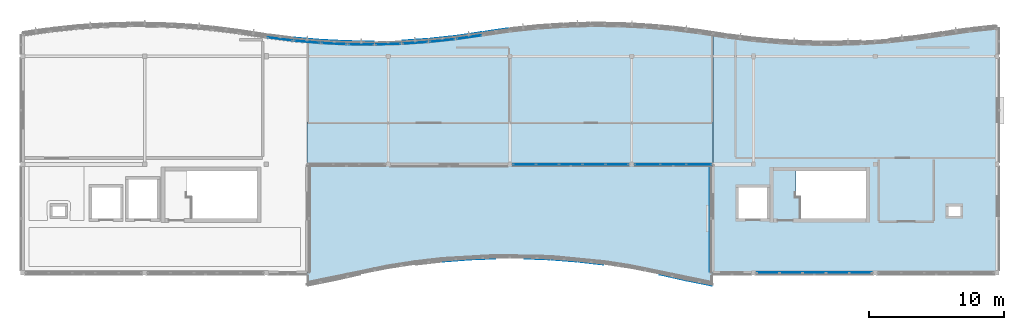
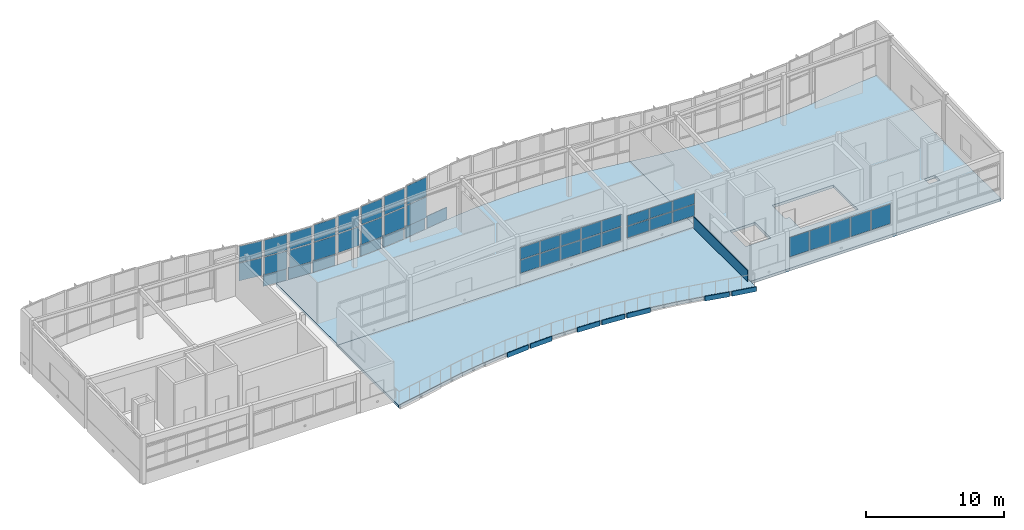
# One storey, part 11 of 20: 52 plates, 3 slabs, 11 elements without a shape of their own.
"""IFC4 building model written with IfcOpenShell, lengths in metres."""

from ifc_helpers import new_model, si_unit, direction, frame, origin, origin_2d, place, context, subcontext, project, spatial, polyline, rectangle, outline, extrude, material, layer, layer_set, type_object, element, aggregate, save


model = new_model("IFC4")

# Units and contexts
model_context = context("Model", 3, precision=1e-05, world=origin(), true_north=direction((0.0, 1.0)))
body_context = subcontext(model_context, "Body", "Model", "MODEL_VIEW")
ifc_project = project(units=[si_unit("LENGTHUNIT", "METRE"), si_unit("AREAUNIT", "SQUARE_METRE"), si_unit("VOLUMEUNIT", "CUBIC_METRE"), si_unit("PLANEANGLEUNIT", "RADIAN"), si_unit("MASSUNIT", "GRAM", prefix="KILO")], contexts=[model_context])

# Site, building, storey
site_placement = place(None, origin())
site = spatial("IfcSite", under=ifc_project, at=site_placement, CompositionType="ELEMENT")
building_placement = place(site_placement, origin())
building = spatial("IfcBuilding", under=site, at=building_placement, Name="Tonlespit Floodbar School", CompositionType="ELEMENT")
storey_placement = place(building_placement, frame((0.0, 0.0, 20.10009765625)))
storey = spatial("IfcBuildingStorey", under=building, at=storey_placement, Name="L05", CompositionType="ELEMENT", Elevation=20.10009765625)

# Curtain wall, plates
ifc_material_1 = material(Name="Anodised Aluminium", Category="aluminium")
ifc_layer_1 = layer(ifc_material_1, 0.159912109375)
ifc_layer_set_1 = layer_set([ifc_layer_1], Name="Anodised Aluminium")
curtain_wall_type_1 = type_object("IfcCurtainWallType", Name="CurtainWall_1950x3200", PredefinedType="NOTDEFINED", material=ifc_layer_set_1)
curtain_wall_1_placement = place(storey_placement, origin())
curtain_wall_1 = element("IfcCurtainWall", 1, at=curtain_wall_1_placement, inside=storey, type_object=curtain_wall_type_1, Name="L05 unitised curtain wall 0217", PredefinedType="NOTDEFINED")
ifc_material_2 = material(Name="Laminated Low-E Glass", Category="glass")
ifc_layer_2 = layer(ifc_material_2, 0.028076171875)
ifc_layer_set_2 = layer_set([ifc_layer_2], Name="Laminated Low-E Glass")
plate_type_1 = type_object("IfcPlateType", Name="CW_Panel_Glaz_28", PredefinedType="CURTAIN_PANEL", material=ifc_layer_set_2)
plate_1_placement = place(storey_placement, frame((63.0, 121.268310546875, 1.014892578125), z_axis=(0.0, 0.0, 1.0), x_axis=(0.992155002499, -0.125013803299, 0.0)))
plate_1 = element("IfcPlate", 2, at=plate_1_placement, type_object=plate_type_1, Name="CW-17 panel 1.1", PredefinedType="CURTAIN_PANEL", context=body_context, shape_type="SweptSolid", body=[
    extrude(rectangle(XDim=1.805908203125, YDim=0.028076171875, at=origin_2d()), origin(), (0.0, 0.0, 1.0), 1.56494140625),
])
plate_2_placement = place(storey_placement, frame((63.0, 121.268310546875, 2.64501953125), z_axis=(0.0, 0.0, 1.0), x_axis=(0.992155002499, -0.125013803299, 0.0)))
plate_2 = element("IfcPlate", 3, at=plate_2_placement, type_object=plate_type_1, Name="CW-17 panel 1.2", PredefinedType="CURTAIN_PANEL", context=body_context, shape_type="SweptSolid", body=[
    extrude(rectangle(XDim=1.805908203125, YDim=0.028076171875, at=origin_2d()), origin(), (0.0, 0.0, 1.0), 1.437255859375),
])
aggregate(curtain_wall_1, [plate_1, plate_2])

ifc_layer_3 = layer(ifc_material_1, 0.159912109375)
ifc_layer_set_3 = layer_set([ifc_layer_3], Name="Anodised Aluminium")
curtain_wall_type_2 = type_object("IfcCurtainWallType", Name="CurtainWall_1900x3400", PredefinedType="NOTDEFINED", material=ifc_layer_set_3)
curtain_wall_2_placement = place(storey_placement, origin())
curtain_wall_2 = element("IfcCurtainWall", 4, at=curtain_wall_2_placement, inside=storey, type_object=curtain_wall_type_2, Name="L05 unitised curtain wall 0221", PredefinedType="NOTDEFINED")
plate_3_placement = place(storey_placement, frame((71.0, 120.8818359375, 1.01513671875), z_axis=(0.0, 0.0, 1.0), x_axis=(0.999585477883, 0.028790144226, 0.0)))
plate_3 = element("IfcPlate", 5, at=plate_3_placement, type_object=plate_type_1, Name="CW-19 panel 1.1", PredefinedType="CURTAIN_PANEL", context=body_context, shape_type="SweptSolid", body=[
    extrude(rectangle(XDim=1.790771484375, YDim=0.028076171875, at=origin_2d()), origin(), (0.0, 0.0, 1.0), 1.668212890625),
])
plate_4_placement = place(storey_placement, frame((71.0, 120.8818359375, 2.748046875), z_axis=(0.0, 0.0, 1.0), x_axis=(0.999585477883, 0.028790144226, 0.0)))
plate_4 = element("IfcPlate", 6, at=plate_4_placement, type_object=plate_type_1, Name="CW-19 panel 1.2", PredefinedType="CURTAIN_PANEL", context=body_context, shape_type="SweptSolid", body=[
    extrude(rectangle(XDim=1.790771484375, YDim=0.028076171875, at=origin_2d()), origin(), (0.0, 0.0, 1.0), 1.532470703125),
])
aggregate(curtain_wall_2, [plate_3, plate_4])

ifc_layer_4 = layer(ifc_material_1, 0.159912109375)
ifc_layer_set_4 = layer_set([ifc_layer_4], Name="Anodised Aluminium")
curtain_wall_type_3 = type_object("IfcCurtainWallType", Name="CurtainWall_8600x1850", PredefinedType="NOTDEFINED", material=ifc_layer_set_4)
curtain_wall_3_placement = place(storey_placement, origin())
curtain_wall_3 = element("IfcCurtainWall", 7, at=curtain_wall_3_placement, inside=storey, type_object=curtain_wall_type_3, Name="L05 unitised curtain wall 0245", PredefinedType="NOTDEFINED")
plate_5_placement = place(storey_placement, frame((105.923828125, 104.0, 1.0146484375), z_axis=(0.0, 0.0, 1.0), x_axis=(-1.0, 0.0, 0.0)))
plate_5 = element("IfcPlate", 8, at=plate_5_placement, type_object=plate_type_1, Name="CW-29 panel 1.1", PredefinedType="CURTAIN_PANEL", context=body_context, shape_type="SweptSolid", body=[
    extrude(rectangle(XDim=1.62255859375, YDim=0.028076171875, at=origin_2d()), origin(), (0.0, 0.0, 1.0), 1.737548828125),
])
plate_6_placement = place(storey_placement, frame((104.219970703125, 104.0, 1.0146484375), z_axis=(0.0, 0.0, 1.0), x_axis=(-1.0, 0.0, 0.0)))
plate_6 = element("IfcPlate", 9, at=plate_6_placement, type_object=plate_type_1, Name="CW-29 panel 2.1", PredefinedType="CURTAIN_PANEL", context=body_context, shape_type="SweptSolid", body=[
    extrude(rectangle(XDim=1.655029296875, YDim=0.028076171875, at=origin_2d()), origin(), (0.0, 0.0, 1.0), 1.737548828125),
])
plate_7_placement = place(storey_placement, frame((102.5, 104.0, 1.0146484375), z_axis=(0.0, 0.0, 1.0), x_axis=(-1.0, 0.0, 0.0)))
plate_7 = element("IfcPlate", 10, at=plate_7_placement, type_object=plate_type_1, Name="CW-29 panel 3.1", PredefinedType="CURTAIN_PANEL", context=body_context, shape_type="SweptSolid", body=[
    extrude(rectangle(XDim=1.655029296875, YDim=0.028076171875, at=origin_2d()), origin(), (0.0, 0.0, 1.0), 1.737548828125),
])
plate_8_placement = place(storey_placement, frame((100.780029296875, 104.0, 1.0146484375), z_axis=(0.0, 0.0, 1.0), x_axis=(-1.0, 0.0, 0.0)))
plate_8 = element("IfcPlate", 11, at=plate_8_placement, type_object=plate_type_1, Name="CW-29 panel 4.1", PredefinedType="CURTAIN_PANEL", context=body_context, shape_type="SweptSolid", body=[
    extrude(rectangle(XDim=1.655029296875, YDim=0.028076171875, at=origin_2d()), origin(), (0.0, 0.0, 1.0), 1.737548828125),
])
plate_9_placement = place(storey_placement, frame((99.076171875, 104.0, 1.0146484375), z_axis=(0.0, 0.0, 1.0), x_axis=(-1.0, 0.0, 0.0)))
plate_9 = element("IfcPlate", 12, at=plate_9_placement, type_object=plate_type_1, Name="CW-29 panel 5.1", PredefinedType="CURTAIN_PANEL", context=body_context, shape_type="SweptSolid", body=[
    extrude(rectangle(XDim=1.62255859375, YDim=0.028076171875, at=origin_2d()), origin(), (0.0, 0.0, 1.0), 1.737548828125),
])
aggregate(curtain_wall_3, [plate_5, plate_6, plate_7, plate_8, plate_9])

curtain_wall_4_placement = place(storey_placement, origin())
curtain_wall_4 = element("IfcCurtainWall", 13, at=curtain_wall_4_placement, inside=storey, type_object=curtain_wall_type_1, Name="L05 unitised curtain wall 0218", PredefinedType="NOTDEFINED")
ifc_layer_5 = layer(ifc_material_2, 0.031982421875)
ifc_layer_set_5 = layer_set([ifc_layer_5], Name="Laminated Low-E Glass")
plate_type_2 = type_object("IfcPlateType", Name="CW_Panel_Glaz_32", PredefinedType="CURTAIN_PANEL", material=ifc_layer_set_5)
plate_10_placement = place(storey_placement, frame((65.0, 121.055419921875, 1.014892578125), z_axis=(0.0, 0.0, 1.0), x_axis=(0.996249148412, -0.086531117454, 0.0)))
plate_10 = element("IfcPlate", 14, at=plate_10_placement, type_object=plate_type_2, Name="CW-17 panel 1.1", PredefinedType="CURTAIN_PANEL", context=body_context, shape_type="SweptSolid", body=[
    extrude(rectangle(XDim=1.797607421875, YDim=0.031982421875, at=origin_2d()), origin(), (0.0, 0.0, 1.0), 1.56494140625),
])
plate_11_placement = place(storey_placement, frame((65.0, 121.055419921875, 2.64501953125), z_axis=(0.0, 0.0, 1.0), x_axis=(0.996249148412, -0.086531117454, 0.0)))
plate_11 = element("IfcPlate", 15, at=plate_11_placement, type_object=plate_type_2, Name="CW-17 panel 1.2", PredefinedType="CURTAIN_PANEL", context=body_context, shape_type="SweptSolid", body=[
    extrude(rectangle(XDim=1.797607421875, YDim=0.031982421875, at=origin_2d()), origin(), (0.0, 0.0, 1.0), 1.437255859375),
])
aggregate(curtain_wall_4, [plate_10, plate_11])

ifc_layer_6 = layer(ifc_material_1, 0.159912109375)
ifc_layer_set_6 = layer_set([ifc_layer_6], Name="Anodised Aluminium")
curtain_wall_type_4 = type_object("IfcCurtainWallType", Name="CurtainWall_1900x3500", PredefinedType="NOTDEFINED", material=ifc_layer_set_6)
curtain_wall_5_placement = place(storey_placement, origin())
curtain_wall_5 = element("IfcCurtainWall", 16, at=curtain_wall_5_placement, inside=storey, type_object=curtain_wall_type_4, Name="L05 unitised curtain wall 0222", PredefinedType="NOTDEFINED")
plate_12_placement = place(storey_placement, frame((73.0, 120.978271484375, 1.014892578125), z_axis=(0.0, 0.0, 1.0), x_axis=(0.99773010165, 0.067339767311, 0.0)))
plate_12 = element("IfcPlate", 17, at=plate_12_placement, type_object=plate_type_2, Name="CW-20 panel 1.1", PredefinedType="CURTAIN_PANEL", context=body_context, shape_type="SweptSolid", body=[
    extrude(rectangle(XDim=1.794677734375, YDim=0.031982421875, at=origin_2d()), origin(), (0.0, 0.0, 1.0), 1.720703125),
])
plate_13_placement = place(storey_placement, frame((73.0, 120.978271484375, 2.80078125), z_axis=(0.0, 0.0, 1.0), x_axis=(0.99773010165, 0.067339767311, 0.0)))
plate_13 = element("IfcPlate", 18, at=plate_13_placement, type_object=plate_type_2, Name="CW-20 panel 1.2", PredefinedType="CURTAIN_PANEL", context=body_context, shape_type="SweptSolid", body=[
    extrude(rectangle(XDim=1.794677734375, YDim=0.031982421875, at=origin_2d()), origin(), (0.0, 0.0, 1.0), 1.580810546875),
])
aggregate(curtain_wall_5, [plate_12, plate_13])

ifc_layer_7 = layer(ifc_material_1, 0.159912109375)
ifc_layer_set_7 = layer_set([ifc_layer_7], Name="Anodised Aluminium")
curtain_wall_type_5 = type_object("IfcCurtainWallType", Name="CurtainWall_5750x2100", PredefinedType="NOTDEFINED", material=ifc_layer_set_7)
curtain_wall_6_placement = place(storey_placement, origin())
curtain_wall_6 = element("IfcCurtainWall", 19, at=curtain_wall_6_placement, inside=storey, type_object=curtain_wall_type_5, Name="L05 unitised curtain wall 0246", PredefinedType="NOTDEFINED")
plate_14_placement = place(storey_placement, frame((93.983642578125, 112.0, 1.0146484375), z_axis=(0.0, 0.0, 1.0), x_axis=(-1.0, 0.0, 0.0)))
plate_14 = element("IfcPlate", 20, at=plate_14_placement, type_object=plate_type_2, Name="CW-30 panel 1.1", PredefinedType="CURTAIN_PANEL", context=body_context, shape_type="SweptSolid", body=[
    extrude(rectangle(XDim=1.822509765625, YDim=0.031982421875, at=origin_2d()), origin(), (0.0, 0.0, 1.0), 0.992919921875),
])
plate_15_placement = place(storey_placement, frame((93.983642578125, 112.0, 2.07275390625), z_axis=(0.0, 0.0, 1.0), x_axis=(-1.0, 0.0, 0.0)))
plate_15 = element("IfcPlate", 21, at=plate_15_placement, type_object=plate_type_2, Name="CW-30 panel 1.2", PredefinedType="CURTAIN_PANEL", context=body_context, shape_type="SweptSolid", body=[
    extrude(rectangle(XDim=1.822509765625, YDim=0.031982421875, at=origin_2d()), origin(), (0.0, 0.0, 1.0), 0.908935546875),
])
plate_16_placement = place(storey_placement, frame((92.080078125, 112.0, 1.0146484375), z_axis=(0.0, 0.0, 1.0), x_axis=(-1.0, 0.0, 0.0)))
plate_16 = element("IfcPlate", 22, at=plate_16_placement, type_object=plate_type_2, Name="CW-30 panel 2.1", PredefinedType="CURTAIN_PANEL", context=body_context, shape_type="SweptSolid", body=[
    extrude(rectangle(XDim=1.85498046875, YDim=0.031982421875, at=origin_2d()), origin(), (0.0, 0.0, 1.0), 0.992919921875),
])
plate_17_placement = place(storey_placement, frame((92.080078125, 112.0, 2.07275390625), z_axis=(0.0, 0.0, 1.0), x_axis=(-1.0, 0.0, 0.0)))
plate_17 = element("IfcPlate", 23, at=plate_17_placement, type_object=plate_type_2, Name="CW-30 panel 2.2", PredefinedType="CURTAIN_PANEL", context=body_context, shape_type="SweptSolid", body=[
    extrude(rectangle(XDim=1.85498046875, YDim=0.031982421875, at=origin_2d()), origin(), (0.0, 0.0, 1.0), 0.908935546875),
])
plate_18_placement = place(storey_placement, frame((90.17626953125, 112.0, 1.0146484375), z_axis=(0.0, 0.0, 1.0), x_axis=(-1.0, 0.0, 0.0)))
plate_18 = element("IfcPlate", 24, at=plate_18_placement, type_object=plate_type_2, Name="CW-30 panel 3.1", PredefinedType="CURTAIN_PANEL", context=body_context, shape_type="SweptSolid", body=[
    extrude(rectangle(XDim=1.822509765625, YDim=0.031982421875, at=origin_2d()), origin(), (0.0, 0.0, 1.0), 0.992919921875),
])
plate_19_placement = place(storey_placement, frame((90.17626953125, 112.0, 2.07275390625), z_axis=(0.0, 0.0, 1.0), x_axis=(-1.0, 0.0, 0.0)))
plate_19 = element("IfcPlate", 25, at=plate_19_placement, type_object=plate_type_2, Name="CW-30 panel 3.2", PredefinedType="CURTAIN_PANEL", context=body_context, shape_type="SweptSolid", body=[
    extrude(rectangle(XDim=1.822509765625, YDim=0.031982421875, at=origin_2d()), origin(), (0.0, 0.0, 1.0), 0.908935546875),
])
aggregate(curtain_wall_6, [plate_14, plate_15, plate_16, plate_17, plate_18, plate_19])

ifc_layer_8 = layer(ifc_material_1, 0.159912109375)
ifc_layer_set_8 = layer_set([ifc_layer_8], Name="Anodised Aluminium")
curtain_wall_type_6 = type_object("IfcCurtainWallType", Name="CurtainWall_1900x3200", PredefinedType="NOTDEFINED", material=ifc_layer_set_8)
curtain_wall_7_placement = place(storey_placement, origin())
curtain_wall_7 = element("IfcCurtainWall", 26, at=curtain_wall_7_placement, inside=storey, type_object=curtain_wall_type_6, Name="L05 unitised curtain wall 0219", PredefinedType="NOTDEFINED")
ifc_layer_9 = layer(ifc_material_2, 0.035888671875)
ifc_layer_set_9 = layer_set([ifc_layer_9], Name="Laminated Low-E Glass")
plate_type_3 = type_object("IfcPlateType", Name="CW_Panel_Glaz_36", PredefinedType="CURTAIN_PANEL", material=ifc_layer_set_9)
plate_20_placement = place(storey_placement, frame((67.0, 120.92041015625, 1.01513671875), z_axis=(0.0, 0.0, 1.0), x_axis=(0.998841500616, -0.048121270216, 0.0)))
plate_20 = element("IfcPlate", 27, at=plate_20_placement, type_object=plate_type_3, Name="CW-18 panel 1.1", PredefinedType="CURTAIN_PANEL", context=body_context, shape_type="SweptSolid", body=[
    extrude(rectangle(XDim=1.792236328125, YDim=0.035888671875, at=origin_2d()), origin(), (0.0, 0.0, 1.0), 1.568115234375),
])
plate_21_placement = place(storey_placement, frame((67.0, 120.92041015625, 2.648193359375), z_axis=(0.0, 0.0, 1.0), x_axis=(0.998841500616, -0.048121270216, 0.0)))
plate_21 = element("IfcPlate", 28, at=plate_21_placement, type_object=plate_type_3, Name="CW-18 panel 1.2", PredefinedType="CURTAIN_PANEL", context=body_context, shape_type="SweptSolid", body=[
    extrude(rectangle(XDim=1.792236328125, YDim=0.035888671875, at=origin_2d()), origin(), (0.0, 0.0, 1.0), 1.43994140625),
])
aggregate(curtain_wall_7, [plate_20, plate_21])

ifc_layer_10 = layer(ifc_material_1, 0.159912109375)
ifc_layer_set_10 = layer_set([ifc_layer_10], Name="Anodised Aluminium")
curtain_wall_type_7 = type_object("IfcCurtainWallType", Name="CurtainWall_1950x3600", PredefinedType="NOTDEFINED", material=ifc_layer_set_10)
curtain_wall_8_placement = place(storey_placement, origin())
curtain_wall_8 = element("IfcCurtainWall", 29, at=curtain_wall_8_placement, inside=storey, type_object=curtain_wall_type_7, Name="L05 unitised curtain wall 0223", PredefinedType="NOTDEFINED")
plate_22_placement = place(storey_placement, frame((75.0, 121.152099609375, 1.0146484375), z_axis=(0.0, 0.0, 1.0), x_axis=(0.994388797288, 0.105787143968, 0.0)))
plate_22 = element("IfcPlate", 30, at=plate_22_placement, type_object=plate_type_3, Name="CW-21 panel 1.1", PredefinedType="CURTAIN_PANEL", context=body_context, shape_type="SweptSolid", body=[
    extrude(rectangle(XDim=1.80126953125, YDim=0.035888671875, at=origin_2d()), origin(), (0.0, 0.0, 1.0), 1.775146484375),
])
plate_23_placement = place(storey_placement, frame((75.0, 121.152099609375, 2.85498046875), z_axis=(0.0, 0.0, 1.0), x_axis=(0.994388797288, 0.105787143968, 0.0)))
plate_23 = element("IfcPlate", 31, at=plate_23_placement, type_object=plate_type_3, Name="CW-21 panel 1.2", PredefinedType="CURTAIN_PANEL", context=body_context, shape_type="SweptSolid", body=[
    extrude(rectangle(XDim=1.80126953125, YDim=0.035888671875, at=origin_2d()), origin(), (0.0, 0.0, 1.0), 1.631103515625),
])
aggregate(curtain_wall_8, [plate_22, plate_23])

ifc_layer_11 = layer(ifc_material_1, 0.159912109375)
ifc_layer_set_11 = layer_set([ifc_layer_11], Name="Anodised Aluminium")
curtain_wall_type_8 = type_object("IfcCurtainWallType", Name="CurtainWall_8600x2400", PredefinedType="NOTDEFINED", material=ifc_layer_set_11)
curtain_wall_9_placement = place(storey_placement, origin())
curtain_wall_9 = element("IfcCurtainWall", 32, at=curtain_wall_9_placement, inside=storey, type_object=curtain_wall_type_8, Name="L05 unitised curtain wall 0247", PredefinedType="NOTDEFINED")
plate_24_placement = place(storey_placement, frame((87.923828125, 112.0, 1.014892578125), z_axis=(0.0, 0.0, 1.0), x_axis=(-1.0, 0.0, 0.0)))
plate_24 = element("IfcPlate", 33, at=plate_24_placement, type_object=plate_type_3, Name="CW-31 panel 1.1", PredefinedType="CURTAIN_PANEL", context=body_context, shape_type="SweptSolid", body=[
    extrude(rectangle(XDim=1.62255859375, YDim=0.035888671875, at=origin_2d()), origin(), (0.0, 0.0, 1.0), 1.15087890625),
])
plate_25_placement = place(storey_placement, frame((87.923828125, 112.0, 2.23095703125), z_axis=(0.0, 0.0, 1.0), x_axis=(-1.0, 0.0, 0.0)))
plate_25 = element("IfcPlate", 34, at=plate_25_placement, type_object=plate_type_3, Name="CW-31 panel 1.2", PredefinedType="CURTAIN_PANEL", context=body_context, shape_type="SweptSolid", body=[
    extrude(rectangle(XDim=1.62255859375, YDim=0.035888671875, at=origin_2d()), origin(), (0.0, 0.0, 1.0), 1.0546875),
])
plate_26_placement = place(storey_placement, frame((86.219970703125, 112.0, 1.014892578125), z_axis=(0.0, 0.0, 1.0), x_axis=(-1.0, 0.0, 0.0)))
plate_26 = element("IfcPlate", 35, at=plate_26_placement, type_object=plate_type_3, Name="CW-31 panel 2.1", PredefinedType="CURTAIN_PANEL", context=body_context, shape_type="SweptSolid", body=[
    extrude(rectangle(XDim=1.655029296875, YDim=0.035888671875, at=origin_2d()), origin(), (0.0, 0.0, 1.0), 1.15087890625),
])
plate_27_placement = place(storey_placement, frame((86.219970703125, 112.0, 2.23095703125), z_axis=(0.0, 0.0, 1.0), x_axis=(-1.0, 0.0, 0.0)))
plate_27 = element("IfcPlate", 36, at=plate_27_placement, type_object=plate_type_3, Name="CW-31 panel 2.2", PredefinedType="CURTAIN_PANEL", context=body_context, shape_type="SweptSolid", body=[
    extrude(rectangle(XDim=1.655029296875, YDim=0.035888671875, at=origin_2d()), origin(), (0.0, 0.0, 1.0), 1.0546875),
])
plate_28_placement = place(storey_placement, frame((84.5, 112.0, 1.014892578125), z_axis=(0.0, 0.0, 1.0), x_axis=(-1.0, 0.0, 0.0)))
plate_28 = element("IfcPlate", 37, at=plate_28_placement, type_object=plate_type_3, Name="CW-31 panel 3.1", PredefinedType="CURTAIN_PANEL", context=body_context, shape_type="SweptSolid", body=[
    extrude(rectangle(XDim=1.655029296875, YDim=0.035888671875, at=origin_2d()), origin(), (0.0, 0.0, 1.0), 1.15087890625),
])
plate_29_placement = place(storey_placement, frame((84.5, 112.0, 2.23095703125), z_axis=(0.0, 0.0, 1.0), x_axis=(-1.0, 0.0, 0.0)))
plate_29 = element("IfcPlate", 38, at=plate_29_placement, type_object=plate_type_3, Name="CW-31 panel 3.2", PredefinedType="CURTAIN_PANEL", context=body_context, shape_type="SweptSolid", body=[
    extrude(rectangle(XDim=1.655029296875, YDim=0.035888671875, at=origin_2d()), origin(), (0.0, 0.0, 1.0), 1.0546875),
])
plate_30_placement = place(storey_placement, frame((82.780029296875, 112.0, 1.014892578125), z_axis=(0.0, 0.0, 1.0), x_axis=(-1.0, 0.0, 0.0)))
plate_30 = element("IfcPlate", 39, at=plate_30_placement, type_object=plate_type_3, Name="CW-31 panel 4.1", PredefinedType="CURTAIN_PANEL", context=body_context, shape_type="SweptSolid", body=[
    extrude(rectangle(XDim=1.655029296875, YDim=0.035888671875, at=origin_2d()), origin(), (0.0, 0.0, 1.0), 1.15087890625),
])
plate_31_placement = place(storey_placement, frame((82.780029296875, 112.0, 2.23095703125), z_axis=(0.0, 0.0, 1.0), x_axis=(-1.0, 0.0, 0.0)))
plate_31 = element("IfcPlate", 40, at=plate_31_placement, type_object=plate_type_3, Name="CW-31 panel 4.2", PredefinedType="CURTAIN_PANEL", context=body_context, shape_type="SweptSolid", body=[
    extrude(rectangle(XDim=1.655029296875, YDim=0.035888671875, at=origin_2d()), origin(), (0.0, 0.0, 1.0), 1.0546875),
])
plate_32_placement = place(storey_placement, frame((81.076171875, 112.0, 1.014892578125), z_axis=(0.0, 0.0, 1.0), x_axis=(-1.0, 0.0, 0.0)))
plate_32 = element("IfcPlate", 41, at=plate_32_placement, type_object=plate_type_3, Name="CW-31 panel 5.1", PredefinedType="CURTAIN_PANEL", context=body_context, shape_type="SweptSolid", body=[
    extrude(rectangle(XDim=1.62255859375, YDim=0.035888671875, at=origin_2d()), origin(), (0.0, 0.0, 1.0), 1.15087890625),
])
plate_33_placement = place(storey_placement, frame((81.076171875, 112.0, 2.23095703125), z_axis=(0.0, 0.0, 1.0), x_axis=(-1.0, 0.0, 0.0)))
plate_33 = element("IfcPlate", 42, at=plate_33_placement, type_object=plate_type_3, Name="CW-31 panel 5.2", PredefinedType="CURTAIN_PANEL", context=body_context, shape_type="SweptSolid", body=[
    extrude(rectangle(XDim=1.62255859375, YDim=0.035888671875, at=origin_2d()), origin(), (0.0, 0.0, 1.0), 1.0546875),
])
aggregate(curtain_wall_9, [plate_24, plate_25, plate_26, plate_27, plate_28, plate_29, plate_30, plate_31, plate_32, plate_33])

ifc_layer_12 = layer(ifc_material_1, 0.159912109375)
ifc_layer_set_12 = layer_set([ifc_layer_12], Name="Anodised Aluminium")
curtain_wall_type_9 = type_object("IfcCurtainWallType", Name="CurtainWall_1900x3300", PredefinedType="NOTDEFINED", material=ifc_layer_set_12)
curtain_wall_10_placement = place(storey_placement, origin())
curtain_wall_10 = element("IfcCurtainWall", 43, at=curtain_wall_10_placement, inside=storey, type_object=curtain_wall_type_9, Name="L05 unitised curtain wall 0220", PredefinedType="NOTDEFINED")
ifc_layer_13 = layer(ifc_material_2, 0.0419921875)
ifc_layer_set_13 = layer_set([ifc_layer_13], Name="Laminated Low-E Glass")
plate_type_4 = type_object("IfcPlateType", Name="CW_Panel_Glaz_42", PredefinedType="CURTAIN_PANEL", material=ifc_layer_set_13)
plate_34_placement = place(storey_placement, frame((69.0, 120.862548828125, 1.0146484375), z_axis=(0.0, 0.0, 1.0), x_axis=(0.999954083024, -0.009582893292, 0.0)))
plate_34 = element("IfcPlate", 44, at=plate_34_placement, type_object=plate_type_4, Name="CW-02 panel 1.1", PredefinedType="CURTAIN_PANEL", context=body_context, shape_type="SweptSolid", body=[
    extrude(rectangle(XDim=1.7900390625, YDim=0.0419921875, at=origin_2d()), origin(), (0.0, 0.0, 1.0), 1.617431640625),
])
plate_35_placement = place(storey_placement, frame((69.0, 120.862548828125, 2.697265625), z_axis=(0.0, 0.0, 1.0), x_axis=(0.999954083024, -0.009582893292, 0.0)))
plate_35 = element("IfcPlate", 45, at=plate_35_placement, type_object=plate_type_4, Name="CW-02 panel 1.2", PredefinedType="CURTAIN_PANEL", context=body_context, shape_type="SweptSolid", body=[
    extrude(rectangle(XDim=1.7900390625, YDim=0.0419921875, at=origin_2d()), origin(), (0.0, 0.0, 1.0), 1.4853515625),
])
aggregate(curtain_wall_10, [plate_34, plate_35])

ifc_layer_14 = layer(ifc_material_1, 0.159912109375)
ifc_layer_set_14 = layer_set([ifc_layer_14], Name="Anodised Aluminium")
curtain_wall_type_10 = type_object("IfcCurtainWallType", Name="CurtainWall_1950x3700", PredefinedType="NOTDEFINED", material=ifc_layer_set_14)
curtain_wall_11_placement = place(storey_placement, origin())
curtain_wall_11 = element("IfcCurtainWall", 46, at=curtain_wall_11_placement, inside=storey, type_object=curtain_wall_type_10, Name="L05 unitised curtain wall 0224", PredefinedType="NOTDEFINED")
plate_36_placement = place(storey_placement, frame((77.0, 121.404296875, 1.0146484375), z_axis=(0.0, 0.0, 1.0), x_axis=(0.989541561858, 0.144248041079, 0.0)))
plate_36 = element("IfcPlate", 47, at=plate_36_placement, type_object=plate_type_4, Name="CW-22 panel 1.1", PredefinedType="CURTAIN_PANEL", context=body_context, shape_type="SweptSolid", body=[
    extrude(rectangle(XDim=1.81103515625, YDim=0.0419921875, at=origin_2d()), origin(), (0.0, 0.0, 1.0), 1.831298828125),
])
plate_37_placement = place(storey_placement, frame((77.0, 121.404296875, 2.9111328125), z_axis=(0.0, 0.0, 1.0), x_axis=(0.989541561858, 0.144248041079, 0.0)))
plate_37 = element("IfcPlate", 48, at=plate_37_placement, type_object=plate_type_4, Name="CW-22 panel 1.2", PredefinedType="CURTAIN_PANEL", context=body_context, shape_type="SweptSolid", body=[
    extrude(rectangle(XDim=1.81103515625, YDim=0.0419921875, at=origin_2d()), origin(), (0.0, 0.0, 1.0), 1.682861328125),
])
aggregate(curtain_wall_11, [plate_36, plate_37])

# Plates
ifc_material_3 = material(Name="White Architectural Aluminium", Category="aluminium")
ifc_layer_15 = layer(ifc_material_3, 0.06494140625)
ifc_layer_set_15 = layer_set([ifc_layer_15], Name="White Architectural Aluminium")
plate_type_5 = type_object("IfcPlateType", Name="FacadeRibbon_White_65", PredefinedType="SHEET", material=ifc_layer_set_15)
plate_38_placement = place(storey_placement, frame((65.015869140625, 121.23681640625, -0.1201171875), z_axis=(0.0, 0.0, 1.0), x_axis=(0.996245486492, -0.086573267488, 0.0)))
element("IfcPlate", 49, at=plate_38_placement, inside=storey, type_object=plate_type_5, Name="L05 flowing white street spandrel ribbon 0400", PredefinedType="SHEET", context=body_context, shape_type="SweptSolid", body=[
    extrude(rectangle(XDim=1.847412109375, YDim=0.06494140625, at=origin_2d()), origin(), (0.0, 0.0, 1.0), 1.070068359375),
])
plate_39_placement = place(storey_placement, frame((67.0087890625, 121.10205078125, -0.1201171875), z_axis=(0.0, 0.0, 1.0), x_axis=(0.998842769234, -0.048094930587, 0.0)))
element("IfcPlate", 50, at=plate_39_placement, inside=storey, type_object=plate_type_5, Name="L05 flowing white street spandrel ribbon 0402", PredefinedType="SHEET", context=body_context, shape_type="SweptSolid", body=[
    extrude(rectangle(XDim=1.84228515625, YDim=0.06494140625, at=origin_2d()), origin(), (0.0, 0.0, 1.0), 1.070068359375),
])
plate_40_placement = place(storey_placement, frame((69.001708984375, 121.044677734375, -0.1201171875), z_axis=(0.0, 0.0, 1.0), x_axis=(0.999953926969, -0.009599163462, 0.0)))
element("IfcPlate", 51, at=plate_40_placement, inside=storey, type_object=plate_type_5, Name="L05 flowing white street spandrel ribbon 0404", PredefinedType="SHEET", context=body_context, shape_type="SweptSolid", body=[
    extrude(rectangle(XDim=1.840087890625, YDim=0.06494140625, at=origin_2d()), origin(), (0.0, 0.0, 1.0), 1.070068359375),
])
plate_41_placement = place(storey_placement, frame((72.98779296875, 121.159912109375, -0.1201171875), z_axis=(0.0, 0.0, 1.0), x_axis=(0.997729639049, 0.067346621018, 0.0)))
element("IfcPlate", 52, at=plate_41_placement, inside=storey, type_object=plate_type_5, Name="L05 flowing white street spandrel ribbon 0408", PredefinedType="SHEET", context=body_context, shape_type="SweptSolid", body=[
    extrude(rectangle(XDim=1.844482421875, YDim=0.06494140625, at=origin_2d()), origin(), (0.0, 0.0, 1.0), 1.070068359375),
])
plate_42_placement = place(storey_placement, frame((74.980712890625, 121.3330078125, -0.1201171875), z_axis=(0.0, 0.0, 1.0), x_axis=(0.99439234017, 0.105753835922, 0.0)))
element("IfcPlate", 53, at=plate_42_placement, inside=storey, type_object=plate_type_5, Name="L05 flowing white street spandrel ribbon 0410", PredefinedType="SHEET", context=body_context, shape_type="SweptSolid", body=[
    extrude(rectangle(XDim=1.851318359375, YDim=0.06494140625, at=origin_2d()), origin(), (0.0, 0.0, 1.0), 1.070068359375),
])
for number, where, z_axis, x_axis, name in (
    (54, (76.9736328125, 121.584228515625, -0.1201171875), (0.0, 0.0, 1.0), (0.989537627347, 0.144275029245, 0.0), "L05 flowing white street spandrel ribbon 0412"),
    (55, (78.9736328125, 121.8759765625, -0.1201171875), (0.0, 0.0, 1.0), (0.989537627347, 0.144275029245, 0.0), "L05 flowing white street spandrel ribbon 0414"),
):
    element("IfcPlate", number, at=place(storey_placement, frame(where, z_axis=z_axis, x_axis=x_axis)), inside=storey, type_object=plate_type_5, Name=name, PredefinedType="SHEET", context=body_context, shape_type="SweptSolid", body=[
        extrude(rectangle(XDim=1.861083984375, YDim=0.06494140625, at=origin_2d()), origin(), (0.0, 0.0, 1.0), 1.070068359375),
    ])
plate_43_placement = place(storey_placement, frame((94.798095703125, 108.0, -0.1201171875), z_axis=(0.0, 0.0, 1.0), x_axis=(0.0, 1.0, 0.0)))
element("IfcPlate", 56, at=plate_43_placement, inside=storey, type_object=plate_type_5, Name="L05 flowing white street spandrel ribbon 0455", PredefinedType="SHEET", context=body_context, shape_type="SweptSolid", body=[
    extrude(rectangle(XDim=7.840087890625, YDim=0.06494140625, at=origin_2d()), origin(), (0.0, 0.0, 1.0), 1.1201171875),
])
plate_44_placement = place(storey_placement, frame((76.0, 104.917724609375, -0.300048828125), z_axis=(0.0, 0.0, 1.0), x_axis=(0.997037199397, 0.076920888052, 0.0)))
element("IfcPlate", 57, at=plate_44_placement, inside=storey, type_object=plate_type_5, Name="L05 flowing white street spandrel ribbon 0475", PredefinedType="SHEET", context=body_context, shape_type="SweptSolid", body=[
    extrude(rectangle(XDim=1.845947265625, YDim=0.06494140625, at=origin_2d()), origin(), (0.0, 0.0, 1.0), 0.419921875),
])
for number, where, z_axis, x_axis, name in (
    (58, (78.0, 105.033447265625, -0.300048828125), (0.0, 0.0, 1.0), (0.999259696934, 0.038471523007, 0.0), "L05 flowing white street spandrel ribbon 0476"),
    (59, (82.0, 105.033447265625, -0.300048828125), (0.0, 0.0, 1.0), (0.999259696934, -0.038471523007, 0.0), "L05 flowing white street spandrel ribbon 0478"),
):
    element("IfcPlate", number, at=place(storey_placement, frame(where, z_axis=z_axis, x_axis=x_axis)), inside=storey, type_object=plate_type_5, Name=name, PredefinedType="SHEET", context=body_context, shape_type="SweptSolid", body=[
        extrude(rectangle(XDim=1.841552734375, YDim=0.06494140625, at=origin_2d()), origin(), (0.0, 0.0, 1.0), 0.419921875),
    ])
plate_45_placement = place(storey_placement, frame((84.0, 104.917724609375, -0.300048828125), z_axis=(0.0, 0.0, 1.0), x_axis=(0.997037199397, -0.076920888052, 0.0)))
element("IfcPlate", 60, at=plate_45_placement, inside=storey, type_object=plate_type_5, Name="L05 flowing white street spandrel ribbon 0479", PredefinedType="SHEET", context=body_context, shape_type="SweptSolid", body=[
    extrude(rectangle(XDim=1.845947265625, YDim=0.06494140625, at=origin_2d()), origin(), (0.0, 0.0, 1.0), 0.419921875),
])
plate_46_placement = place(storey_placement, frame((86.0, 104.724365234375, -0.300048828125), z_axis=(0.0, 0.0, 1.0), x_axis=(0.993316478096, -0.115422590262, 0.0)))
element("IfcPlate", 61, at=plate_46_placement, inside=storey, type_object=plate_type_5, Name="L05 flowing white street spandrel ribbon 0480", PredefinedType="SHEET", context=body_context, shape_type="SweptSolid", body=[
    extrude(rectangle(XDim=1.853515625, YDim=0.06494140625, at=origin_2d()), origin(), (0.0, 0.0, 1.0), 0.419921875),
])
plate_47_placement = place(storey_placement, frame((92.0, 103.677978515625, -0.300048828125), z_axis=(0.0, 0.0, 1.0), x_axis=(0.975232420789, -0.221182561341, 0.0)))
element("IfcPlate", 62, at=plate_47_placement, inside=storey, type_object=plate_type_5, Name="L05 flowing white street spandrel ribbon 0483", PredefinedType="SHEET", context=body_context, shape_type="SweptSolid", body=[
    extrude(rectangle(XDim=1.890869140625, YDim=0.06494140625, at=origin_2d()), origin(), (0.0, 0.0, 1.0), 0.419921875),
])
plate_48_placement = place(storey_placement, frame((94.0, 103.255126953125, -0.300048828125), z_axis=(0.0, 0.0, 1.0), x_axis=(0.981328264706, -0.19234041928, 0.0)))
element("IfcPlate", 63, at=plate_48_placement, inside=storey, type_object=plate_type_5, Name="L05 flowing white street spandrel ribbon 0484", PredefinedType="SHEET", context=body_context, shape_type="SweptSolid", body=[
    extrude(rectangle(XDim=1.878173828125, YDim=0.06494140625, at=origin_2d()), origin(), (0.0, 0.0, 1.0), 0.419921875),
])

# Slabs
ifc_material_4 = material(Name="CLT C24", Category="wood")
ifc_layer_16 = layer(ifc_material_4, 0.239990234375)
ifc_layer_set_16 = layer_set([ifc_layer_16], Name="CLT C24")
slab_type_1 = type_object("IfcSlabType", Name="Slab_Floor_CLT_190", PredefinedType="FLOOR", material=ifc_layer_set_16)
slab_1_placement = place(storey_placement, frame((0.0, 0.0, -0.239990234375)))
element("IfcSlab", 64, at=slab_1_placement, inside=storey, type_object=slab_type_1, Name="L05 V1 L05 central curved spine slab", PredefinedType="FLOOR", context=body_context, shape_type="SweptSolid", body=[
    extrude(outline(polyline([(65.0, 112.0), (95.0, 112.0), (95.0, 121.550048828125), (93.0, 121.841552734375), (91.0, 122.05419921875), (89.0, 122.189208984375), (87.0, 122.2470703125), (85.0, 122.227783203125), (83.0, 122.131591796875), (81.0, 121.957763671875), (79.0, 121.705810546875), (77.0, 121.394287109375), (75.0, 121.142333984375), (73.0, 120.968505859375), (71.0, 120.872314453125), (69.0, 120.85302734375), (67.0, 120.91064453125), (65.0, 121.045654296875), (65.0, 112.0)])), origin(), (0.0, 0.0, 1.0), 0.239990234375),
])
slab_2_placement = place(storey_placement, frame((0.0, 0.0, -0.239990234375)))
element("IfcSlab", 65, at=slab_2_placement, inside=storey, type_object=slab_type_1, Name="L05 V1 L05 east curved street slab", PredefinedType="FLOOR", context=body_context, shape_type="SweptSolid", body=[
    extrude(outline(polyline([(95.0, 104.0), (116.0, 104.0), (116.0, 122.05419921875), (113.89990234375, 121.828857421875), (111.800048828125, 121.517333984375), (109.699951171875, 121.221435546875), (107.60009765625, 121.012451171875), (105.5, 120.88916015625), (103.39990234375, 120.8505859375), (101.300048828125, 120.897216796875), (99.199951171875, 121.02880859375), (97.10009765625, 121.245849609375), (95.0, 121.550048828125), (95.0, 104.0)]), holes=[polyline([(101.5, 108.0), (106.300048828125, 108.0), (106.300048828125, 111.5400390625), (101.14501953125, 111.5400390625), (101.14501953125, 109.6201171875), (101.5, 109.6201171875), (101.5, 108.0)]), polyline([(96.89990234375, 108.0), (99.0, 108.0), (99.0, 110.300048828125), (96.89990234375, 110.300048828125), (96.89990234375, 108.0)]), polyline([(112.39990234375, 108.199951171875), (113.300048828125, 108.199951171875), (113.300048828125, 108.89990234375), (112.39990234375, 108.89990234375), (112.39990234375, 108.199951171875)])]), origin(), (0.0, 0.0, 1.0), 0.239990234375),
])
ifc_layer_17 = layer(ifc_material_4, 0.251953125)
ifc_layer_set_17 = layer_set([ifc_layer_17], Name="CLT C24")
slab_type_2 = type_object("IfcSlabType", Name="Slab_Terrace_CLT_210", PredefinedType="FLOOR", material=ifc_layer_set_17)
slab_3_placement = place(storey_placement, frame((0.0, 0.0, -0.252197265625)))
element("IfcSlab", 66, at=slab_3_placement, inside=storey, type_object=slab_type_2, Name="L05 V1 curved courtyard gallery step 4", PredefinedType="FLOOR", context=body_context, shape_type="SweptSolid", body=[
    extrude(outline(polyline([(65.0, 103.18115234375), (71.0, 104.418701171875), (73.0, 104.730224609375), (75.0, 104.962646484375), (79.0, 105.19384765625), (83.0, 105.116943359375), (87.0, 104.730224609375), (89.0, 104.418701171875), (95.0, 103.18115234375), (95.0, 112.0), (65.0, 112.0), (65.0, 103.18115234375)])), origin(), (0.0, 0.0, 1.0), 0.252197265625),
])

save(model, "model.ifc")
